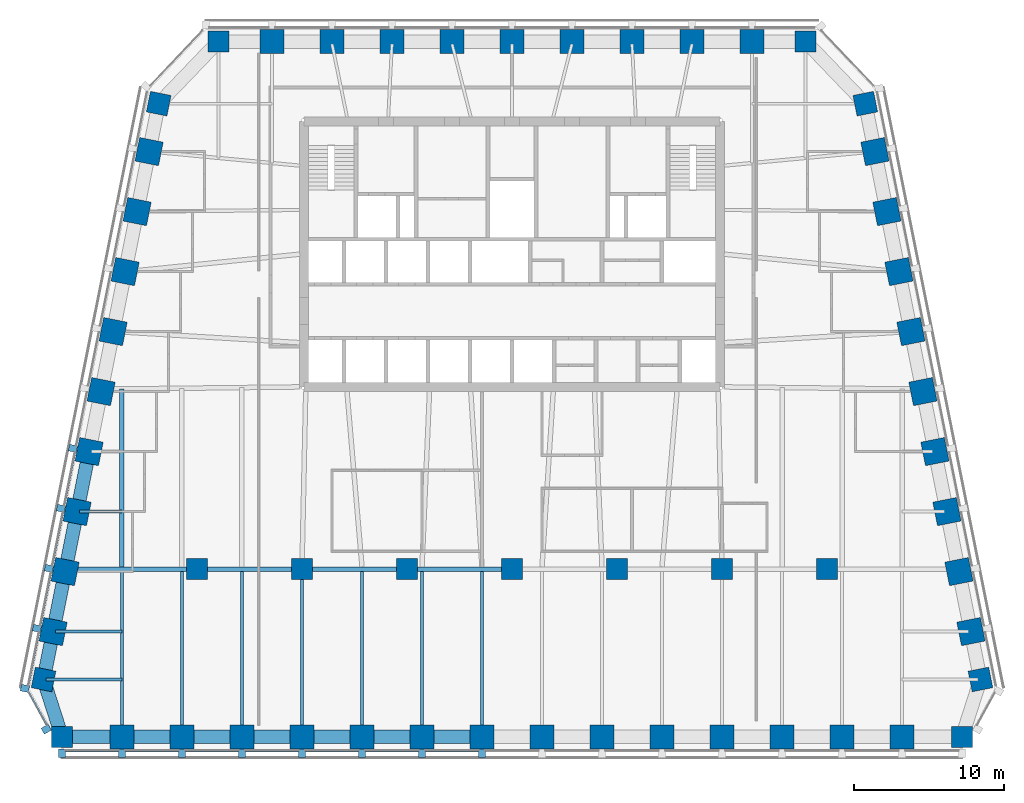
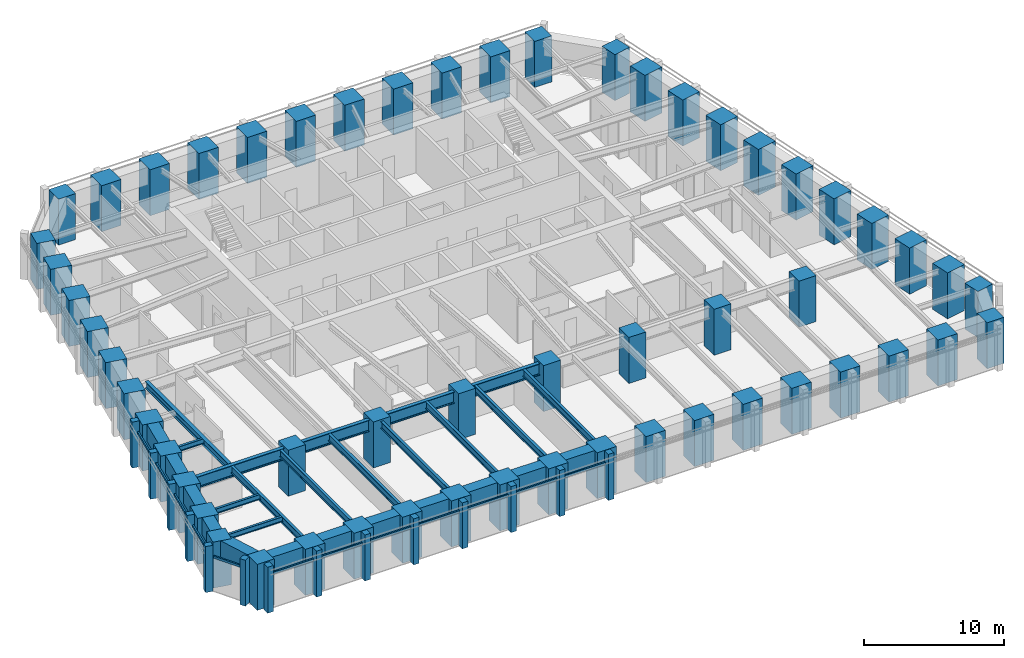
# One storey, part 1 of 10: 56 columns, 27 beams, 26 members, 3 elements without a shape of their own.
"""IFC4 building model written with IfcOpenShell, lengths in metres."""

from ifc_helpers import new_model, si_unit, direction, frame, origin, origin_2d, place, context, subcontext, project, spatial, rectangle, i_section, extrude, material, material_profile, profile_set, type_object, element, aggregate, save


model = new_model("IFC4")

# Units and contexts
model_context = context("Model", 3, precision=1e-05, world=origin(), true_north=direction((0.0, 1.0)))
body_context = subcontext(model_context, "Body", "Model", "MODEL_VIEW")
ifc_project = project(units=[si_unit("LENGTHUNIT", "METRE"), si_unit("AREAUNIT", "SQUARE_METRE"), si_unit("VOLUMEUNIT", "CUBIC_METRE"), si_unit("PLANEANGLEUNIT", "RADIAN"), si_unit("MASSUNIT", "GRAM", prefix="KILO")], contexts=[model_context])

# Site, building, storey
site_placement = place(None, origin())
site = spatial("IfcSite", under=ifc_project, at=site_placement, CompositionType="ELEMENT")
building_placement = place(site_placement, origin())
building = spatial("IfcBuilding", under=site, at=building_placement, Name="Isbrekke Arena Tower", CompositionType="ELEMENT")
storey_placement = place(building_placement, frame((0.0, 0.0, 198.0)))
storey = spatial("IfcBuildingStorey", under=building, at=storey_placement, Name="L45", CompositionType="ELEMENT", Elevation=198.0)

# Columns
ifc_material_1 = material(Name="Concrete B65 (C65/80)", Category="concrete")
ifc_material_profile_1 = material_profile(ifc_material_1, rectangle(XDim=1.39990234375, YDim=1.39990234375, at=origin_2d()), Name="RC 1400x1400")
ifc_profile_set_1 = profile_set([ifc_material_profile_1], Name="Concrete B65 (C65/80)")
column_type_1 = type_object("IfcColumnType", Name="C13 RC 1400 x 1400", PredefinedType="COLUMN", material=ifc_profile_set_1)
for number, where, z_axis, x_axis, name in (
    (1, (-21.0, -6.0, 0.0), (0.0, 0.0, 1.0), (1.0, 0.0, 0.0), "C13 I01"),
    (2, (-14.0, -6.0, 0.0), (0.0, 0.0, 1.0), (1.0, 0.0, 0.0), "C13 I02"),
    (3, (-7.0, -6.0, 0.0), (0.0, 0.0, 1.0), (1.0, 0.0, 0.0), "C13 I03"),
    (4, (0.0, -6.0, 0.0), (0.0, 0.0, 1.0), (1.0, 0.0, 0.0), "C13 I04"),
    (5, (7.0, -6.0, 0.0), (0.0, 0.0, 1.0), (1.0, 0.0, 0.0), "C13 I05"),
    (6, (14.0, -6.0, 0.0), (0.0, 0.0, 1.0), (1.0, 0.0, 0.0), "C13 I06"),
    (7, (21.0, -6.0, 0.0), (0.0, 0.0, 1.0), (1.0, 0.0, 0.0), "C13 I07"),
):
    element("IfcColumn", number, at=place(storey_placement, frame(where, z_axis=z_axis, x_axis=x_axis)), inside=storey, type_object=column_type_1, Name=name, PredefinedType="COLUMN", context=body_context, shape_type="SweptSolid", body=[
        extrude(rectangle(XDim=1.39990234375, YDim=1.39990234375, at=origin_2d()), origin(), (0.0, 0.0, 1.0), 4.0),
    ])
ifc_material_2 = material(Name="Concrete B65 (C65/80)", Category="concrete")
ifc_material_profile_2 = material_profile(ifc_material_2, rectangle(XDim=1.60009765625, YDim=1.60009765625, at=origin_2d()), Name="RC 1600x1600")
ifc_profile_set_2 = profile_set([ifc_material_profile_2], Name="Concrete B65 (C65/80)")
column_type_2 = type_object("IfcColumnType", Name="C4 RC 1600 x 1600", PredefinedType="COLUMN", material=ifc_profile_set_2)
for number, where, z_axis, x_axis, name in (
    (8, (-26.0, -17.175048828125, 0.0), (0.0, 0.0, 1.0), (1.0, 0.0, 0.0), "C4 S02"),
    (9, (-22.0, -17.175048828125, 0.0), (0.0, 0.0, 1.0), (1.0, 0.0, 0.0), "C4 S03"),
    (10, (-18.0, -17.175048828125, 0.0), (0.0, 0.0, 1.0), (1.0, 0.0, 0.0), "C4 S04"),
    (11, (-14.0, -17.175048828125, 0.0), (0.0, 0.0, 1.0), (1.0, 0.0, 0.0), "C4 S05"),
    (12, (-10.0, -17.175048828125, 0.0), (0.0, 0.0, 1.0), (1.0, 0.0, 0.0), "C4 S06"),
    (13, (-6.0, -17.175048828125, 0.0), (0.0, 0.0, 1.0), (1.0, 0.0, 0.0), "C4 S07"),
    (14, (-2.0, -17.175048828125, 0.0), (0.0, 0.0, 1.0), (1.0, 0.0, 0.0), "C4 S08"),
    (15, (2.0, -17.175048828125, 0.0), (0.0, 0.0, 1.0), (1.0, 0.0, 0.0), "C4 S09"),
    (16, (6.0, -17.175048828125, 0.0), (0.0, 0.0, 1.0), (1.0, 0.0, 0.0), "C4 S10"),
    (17, (10.0, -17.175048828125, 0.0), (0.0, 0.0, 1.0), (1.0, 0.0, 0.0), "C4 S11"),
    (18, (14.0, -17.175048828125, 0.0), (0.0, 0.0, 1.0), (1.0, 0.0, 0.0), "C4 S12"),
    (19, (18.0, -17.175048828125, 0.0), (0.0, 0.0, 1.0), (1.0, 0.0, 0.0), "C4 S13"),
    (20, (22.0, -17.175048828125, 0.0), (0.0, 0.0, 1.0), (1.0, 0.0, 0.0), "C4 S14"),
    (21, (26.0, -17.175048828125, 0.0), (0.0, 0.0, 1.0), (1.0, 0.0, 0.0), "C4 S15"),
    (22, (30.591064453125, -10.161865234375, 0.0), (0.0, 0.0, 1.0), (-0.196116135138, 0.980580675691, 0.0), "C4 E02"),
    (23, (29.791015625, -6.161865234375, 0.0), (0.0, 0.0, 1.0), (-0.196116135138, 0.980580675691, 0.0), "C4 E03"),
    (24, (28.990966796875, -2.161865234375, 0.0), (0.0, 0.0, 1.0), (-0.196116135138, 0.980580675691, 0.0), "C4 E04"),
    (25, (28.19091796875, 1.838134765625, 0.0), (0.0, 0.0, 1.0), (-0.196116135138, 0.980580675691, 0.0), "C4 E05"),
    (26, (27.39111328125, 5.838134765625, 0.0), (0.0, 0.0, 1.0), (-0.196116135138, 0.980580675691, 0.0), "C4 E06"),
    (27, (26.591064453125, 9.838134765625, 0.0), (0.0, 0.0, 1.0), (-0.196116135138, 0.980580675691, 0.0), "C4 E07"),
    (28, (25.791015625, 13.838134765625, 0.0), (0.0, 0.0, 1.0), (-0.196116135138, 0.980580675691, 0.0), "C4 E08"),
    (29, (24.990966796875, 17.838134765625, 0.0), (0.0, 0.0, 1.0), (-0.196116135138, 0.980580675691, 0.0), "C4 E09"),
    (30, (24.19091796875, 21.838134765625, 0.0), (0.0, 0.0, 1.0), (-0.196116135138, 0.980580675691, 0.0), "C4 E10"),
    (31, (16.0, 29.175048828125, 0.0), (0.0, 0.0, 1.0), (-1.0, 0.0, 0.0), "C4 N02"),
    (32, (12.0, 29.175048828125, 0.0), (0.0, 0.0, 1.0), (-1.0, 0.0, 0.0), "C4 N03"),
    (33, (8.0, 29.175048828125, 0.0), (0.0, 0.0, 1.0), (-1.0, 0.0, 0.0), "C4 N04"),
    (34, (4.0, 29.175048828125, 0.0), (0.0, 0.0, 1.0), (-1.0, 0.0, 0.0), "C4 N05"),
    (35, (0.0, 29.175048828125, 0.0), (0.0, 0.0, 1.0), (-1.0, 0.0, 0.0), "C4 N06"),
    (36, (-4.0, 29.175048828125, 0.0), (0.0, 0.0, 1.0), (-1.0, 0.0, 0.0), "C4 N07"),
    (37, (-8.0, 29.175048828125, 0.0), (0.0, 0.0, 1.0), (-1.0, 0.0, 0.0), "C4 N08"),
    (38, (-12.0, 29.175048828125, 0.0), (0.0, 0.0, 1.0), (-1.0, 0.0, 0.0), "C4 N09"),
    (39, (-16.0, 29.175048828125, 0.0), (0.0, 0.0, 1.0), (-1.0, 0.0, 0.0), "C4 N10"),
    (40, (-24.19091796875, 21.838134765625, 0.0), (0.0, 0.0, 1.0), (-0.196116135138, -0.980580675691, 0.0), "C4 W02"),
    (41, (-24.990966796875, 17.838134765625, 0.0), (0.0, 0.0, 1.0), (-0.196116135138, -0.980580675691, 0.0), "C4 W03"),
    (42, (-25.791015625, 13.838134765625, 0.0), (0.0, 0.0, 1.0), (-0.196116135138, -0.980580675691, 0.0), "C4 W04"),
    (43, (-26.591064453125, 9.838134765625, 0.0), (0.0, 0.0, 1.0), (-0.196116135138, -0.980580675691, 0.0), "C4 W05"),
    (44, (-27.39111328125, 5.838134765625, 0.0), (0.0, 0.0, 1.0), (-0.196116135138, -0.980580675691, 0.0), "C4 W06"),
    (45, (-28.19091796875, 1.838134765625, 0.0), (0.0, 0.0, 1.0), (-0.196116135138, -0.980580675691, 0.0), "C4 W07"),
    (46, (-28.990966796875, -2.161865234375, 0.0), (0.0, 0.0, 1.0), (-0.196116135138, -0.980580675691, 0.0), "C4 W08"),
    (47, (-29.791015625, -6.161865234375, 0.0), (0.0, 0.0, 1.0), (-0.196116135138, -0.980580675691, 0.0), "C4 W09"),
    (48, (-30.591064453125, -10.161865234375, 0.0), (0.0, 0.0, 1.0), (-0.196116135138, -0.980580675691, 0.0), "C4 W10"),
):
    element("IfcColumn", number, at=place(storey_placement, frame(where, z_axis=z_axis, x_axis=x_axis)), inside=storey, type_object=column_type_2, Name=name, PredefinedType="COLUMN", context=body_context, shape_type="SweptSolid", body=[
        extrude(rectangle(XDim=1.60009765625, YDim=1.60009765625, at=origin_2d()), origin(), (0.0, 0.0, 1.0), 4.0),
    ])
ifc_material_3 = material(Name="Concrete B65 (C65/80)", Category="concrete")
ifc_material_profile_3 = material_profile(ifc_material_3, rectangle(XDim=1.39990234375, YDim=1.39990234375, at=origin_2d()), Name="RC 1400x1400")
ifc_profile_set_3 = profile_set([ifc_material_profile_3], Name="Concrete B65 (C65/80)")
column_type_3 = type_object("IfcColumnType", Name="C8 RC 1400 x 1400", PredefinedType="COLUMN", material=ifc_profile_set_3)
for number, where, z_axis, x_axis, name in (
    (49, (-30.0, -17.175048828125, 0.0), (0.0, 0.0, 1.0), (1.0, 0.0, 0.0), "C8 S01"),
    (50, (30.0, -17.175048828125, 0.0), (0.0, 0.0, 1.0), (1.0, 0.0, 0.0), "C8 S16"),
    (51, (31.229248046875, -13.352783203125, 0.0), (0.0, 0.0, 1.0), (-0.196116135138, 0.980580675691, 0.0), "C8 E01"),
    (52, (23.552734375, 25.029296875, 0.0), (0.0, 0.0, 1.0), (-0.196116135138, 0.980580675691, 0.0), "C8 E11"),
    (53, (19.574951171875, 29.175048828125, 0.0), (0.0, 0.0, 1.0), (-1.0, 0.0, 0.0), "C8 N01"),
    (54, (-19.574951171875, 29.175048828125, 0.0), (0.0, 0.0, 1.0), (-1.0, 0.0, 0.0), "C8 N11"),
    (55, (-23.552734375, 25.029296875, 0.0), (0.0, 0.0, 1.0), (-0.196116135138, -0.980580675691, 0.0), "C8 W01"),
    (56, (-31.229248046875, -13.352783203125, 0.0), (0.0, 0.0, 1.0), (-0.196116135138, -0.980580675691, 0.0), "C8 W11"),
):
    element("IfcColumn", number, at=place(storey_placement, frame(where, z_axis=z_axis, x_axis=x_axis)), inside=storey, type_object=column_type_3, Name=name, PredefinedType="COLUMN", context=body_context, shape_type="SweptSolid", body=[
        extrude(rectangle(XDim=1.39990234375, YDim=1.39990234375, at=origin_2d()), origin(), (0.0, 0.0, 1.0), 4.0),
    ])

# Beams
ifc_material_4 = material(Name="Steel S355", Category="steel")
ifc_material_profile_4 = material_profile(ifc_material_4, i_section(OverallWidth=0.219970703125, OverallDepth=0.60009765625, WebThickness=0.011962890625, FlangeThickness=0.01904296875, FilletRadius=0.02392578125, at=origin_2d()), Name="IPE 600")
ifc_profile_set_4 = profile_set([ifc_material_profile_4], Name="Steel S355")
beam_type_1 = type_object("IfcBeamType", Name="B1 IPE 600", PredefinedType="BEAM", material=ifc_profile_set_4)
for number, where, z_axis, x_axis, name in (
    (57, (-26.0, -17.02490234375, 3.550048828125), (0.0, 1.0, 0.0), (-1.0, 0.0, 0.0), "B1 beam S-S02 L45"),
    (58, (-22.0, -17.02490234375, 3.550048828125), (0.0, 1.0, 0.0), (-1.0, 0.0, 0.0), "B1 beam S-S03 L45"),
    (59, (-18.0, -17.02490234375, 3.550048828125), (0.0, 1.0, 0.0), (-1.0, 0.0, 0.0), "B1 beam S-S04 L45"),
):
    element("IfcBeam", number, at=place(storey_placement, frame(where, z_axis=z_axis, x_axis=x_axis)), inside=storey, type_object=beam_type_1, Name=name, PredefinedType="BEAM", context=body_context, shape_type="SweptSolid", body=[
        extrude(i_section(OverallWidth=0.219970703125, OverallDepth=0.60009765625, WebThickness=0.011962890625, FlangeThickness=0.01904296875, FilletRadius=0.02392578125, at=origin_2d()), origin(), (0.0, 0.0, 1.0), 10.8740234375),
    ])
beam_1_placement = place(storey_placement, frame((-14.0, -17.02490234375, 3.550048828125), z_axis=(0.0, 1.0, 0.0), x_axis=(-1.0, 0.0, 0.0)))
element("IfcBeam", 60, at=beam_1_placement, inside=storey, type_object=beam_type_1, Name="B1 beam S-S05 L45", PredefinedType="BEAM", context=body_context, shape_type="SweptSolid", body=[
    extrude(i_section(OverallWidth=0.219970703125, OverallDepth=0.60009765625, WebThickness=0.011962890625, FlangeThickness=0.01904296875, FilletRadius=0.02392578125, at=origin_2d()), origin(), (0.0, 0.0, 1.0), 10.875),
])
for number, where, z_axis, x_axis, name in (
    (61, (-10.0, -17.02490234375, 3.550048828125), (0.0, 1.0, 0.0), (-1.0, 0.0, 0.0), "B1 beam S-S06 L45"),
    (62, (-6.0, -17.02490234375, 3.550048828125), (0.0, 1.0, 0.0), (-1.0, 0.0, 0.0), "B1 beam S-S07 L45"),
    (63, (-2.0, -17.02490234375, 3.550048828125), (0.0, 1.0, 0.0), (-1.0, 0.0, 0.0), "B1 beam S-S08 L45"),
):
    element("IfcBeam", number, at=place(storey_placement, frame(where, z_axis=z_axis, x_axis=x_axis)), inside=storey, type_object=beam_type_1, Name=name, PredefinedType="BEAM", context=body_context, shape_type="SweptSolid", body=[
        extrude(i_section(OverallWidth=0.219970703125, OverallDepth=0.60009765625, WebThickness=0.011962890625, FlangeThickness=0.01904296875, FilletRadius=0.02392578125, at=origin_2d()), origin(), (0.0, 0.0, 1.0), 10.8740234375),
    ])
ifc_material_5 = material(Name="Steel S355", Category="steel")
ifc_material_profile_5 = material_profile(ifc_material_5, i_section(OverallWidth=0.18994140625, OverallDepth=0.449951171875, WebThickness=0.009521484375, FlangeThickness=0.0146484375, FilletRadius=0.02099609375, at=origin_2d()), Name="IPE 450")
ifc_profile_set_5 = profile_set([ifc_material_profile_5], Name="Steel S355")
beam_type_2 = type_object("IfcBeamType", Name="B2 IPE 450", PredefinedType="BEAM", material=ifc_profile_set_5)
beam_2_placement = place(storey_placement, frame((-28.841064453125, -2.161865234375, 3.625), z_axis=(1.0, 0.0, 0.0), x_axis=(0.0, 1.0, 0.0)))
element("IfcBeam", 64, at=beam_2_placement, inside=storey, type_object=beam_type_2, Name="B2 beam E-W08 L45", PredefinedType="BEAM", context=body_context, shape_type="SweptSolid", body=[
    extrude(i_section(OverallWidth=0.18994140625, OverallDepth=0.449951171875, WebThickness=0.009521484375, FlangeThickness=0.0146484375, FilletRadius=0.02099609375, at=origin_2d()), origin(), (0.0, 0.0, 1.0), 2.841064453125),
])
beam_3_placement = place(storey_placement, frame((-30.44091796875, -10.161865234375, 3.625), z_axis=(1.0, 0.0, 0.0), x_axis=(0.0, 1.0, 0.0)))
element("IfcBeam", 65, at=beam_3_placement, inside=storey, type_object=beam_type_2, Name="B2 beam E-W10 L45", PredefinedType="BEAM", context=body_context, shape_type="SweptSolid", body=[
    extrude(i_section(OverallWidth=0.18994140625, OverallDepth=0.449951171875, WebThickness=0.009521484375, FlangeThickness=0.0146484375, FilletRadius=0.02099609375, at=origin_2d()), origin(), (0.0, 0.0, 1.0), 4.44091796875),
])
beam_4_placement = place(storey_placement, frame((-31.079345703125, -13.352783203125, 3.625), z_axis=(1.0, 0.0, 0.0), x_axis=(0.0, 1.0, 0.0)))
element("IfcBeam", 66, at=beam_4_placement, inside=storey, type_object=beam_type_2, Name="B2 beam E-W11 L45", PredefinedType="BEAM", context=body_context, shape_type="SweptSolid", body=[
    extrude(i_section(OverallWidth=0.18994140625, OverallDepth=0.449951171875, WebThickness=0.009521484375, FlangeThickness=0.0146484375, FilletRadius=0.02099609375, at=origin_2d()), origin(), (0.0, 0.0, 1.0), 5.079345703125),
])
ifc_material_6 = material(Name="Steel S355", Category="steel")
ifc_material_profile_6 = material_profile(ifc_material_6, i_section(OverallWidth=0.300048828125, OverallDepth=0.60009765625, WebThickness=0.015380859375, FlangeThickness=0.030029296875, FilletRadius=0.027099609375, at=origin_2d()), Name="HEB 600")
ifc_profile_set_6 = profile_set([ifc_material_profile_6], Name="Steel S355")
beam_type_3 = type_object("IfcBeamType", Name="B7 HEB 600", PredefinedType="BEAM", material=ifc_profile_set_6)
beam_5_placement = place(storey_placement, frame((-26.0, -5.84912109375, 3.550048828125), z_axis=(0.0, 1.0, 0.0), x_axis=(-1.0, 0.0, 0.0)))
element("IfcBeam", 67, at=beam_5_placement, inside=storey, type_object=beam_type_3, Name="B7 beam C-M01 L45", PredefinedType="BEAM", context=body_context, shape_type="SweptSolid", body=[
    extrude(i_section(OverallWidth=0.300048828125, OverallDepth=0.60009765625, WebThickness=0.015380859375, FlangeThickness=0.030029296875, FilletRadius=0.027099609375, at=origin_2d()), origin(), (0.0, 0.0, 1.0), 11.864990234375),
])

# Curtain wall, members
ifc_material_7 = material(Name="Glazed aluminium curtain wall", Category="aluminium")
curtain_wall_type = type_object("IfcCurtainWallType", Name="CWH TOWER CURTAIN WALL HIGH ZONE", PredefinedType="USERDEFINED", material=ifc_material_7)
curtain_wall_1_placement = place(storey_placement, origin())
curtain_wall_1 = element("IfcCurtainWall", 68, at=curtain_wall_1_placement, inside=storey, type_object=curtain_wall_type, Name="CWH curtain wall L45-S", ObjectType="TOWER CURTAIN WALL HIGH ZONE", PredefinedType="USERDEFINED")
ifc_material_8 = material(Name="Aluminium mullion, pale brick slip cladding", Category="masonry")
ifc_material_profile_7 = material_profile(ifc_material_8, rectangle(XDim=0.449951171875, YDim=0.550048828125, at=origin_2d()), Name="PIER 450X550")
ifc_profile_set_7 = profile_set([ifc_material_profile_7], Name="Aluminium mullion, pale brick slip cladding")
member_type_1 = type_object("IfcMemberType", Name="CWH-M PIER MULLION 450 x 550", PredefinedType="MULLION", material=ifc_profile_set_7)
member_1_placement = place(storey_placement, frame((-30.0, -18.27490234375, 0.0), z_axis=(0.0, 0.0, 1.0), x_axis=(1.0, 0.0, 0.0)))
member_1 = element("IfcMember", 69, at=member_1_placement, type_object=member_type_1, Name="CWH-M mullion 1", PredefinedType="MULLION", context=body_context, shape_type="SweptSolid", body=[
    extrude(rectangle(XDim=0.449951171875, YDim=0.550048828125, at=origin_2d()), origin(), (0.0, 0.0, 1.0), 4.0),
])
member_2_placement = place(storey_placement, frame((-26.0, -18.27490234375, 0.0), z_axis=(0.0, 0.0, 1.0), x_axis=(1.0, 0.0, 0.0)))
member_2 = element("IfcMember", 70, at=member_2_placement, type_object=member_type_1, Name="CWH-M mullion 2", PredefinedType="MULLION", context=body_context, shape_type="SweptSolid", body=[
    extrude(rectangle(XDim=0.449951171875, YDim=0.550048828125, at=origin_2d()), origin(), (0.0, 0.0, 1.0), 4.0),
])
member_3_placement = place(storey_placement, frame((-22.0, -18.27490234375, 0.0), z_axis=(0.0, 0.0, 1.0), x_axis=(1.0, 0.0, 0.0)))
member_3 = element("IfcMember", 71, at=member_3_placement, type_object=member_type_1, Name="CWH-M mullion 3", PredefinedType="MULLION", context=body_context, shape_type="SweptSolid", body=[
    extrude(rectangle(XDim=0.449951171875, YDim=0.550048828125, at=origin_2d()), origin(), (0.0, 0.0, 1.0), 4.0),
])
member_4_placement = place(storey_placement, frame((-18.0, -18.27490234375, 0.0), z_axis=(0.0, 0.0, 1.0), x_axis=(1.0, 0.0, 0.0)))
member_4 = element("IfcMember", 72, at=member_4_placement, type_object=member_type_1, Name="CWH-M mullion 4", PredefinedType="MULLION", context=body_context, shape_type="SweptSolid", body=[
    extrude(rectangle(XDim=0.449951171875, YDim=0.550048828125, at=origin_2d()), origin(), (0.0, 0.0, 1.0), 4.0),
])
member_5_placement = place(storey_placement, frame((-14.0, -18.27490234375, 0.0), z_axis=(0.0, 0.0, 1.0), x_axis=(1.0, 0.0, 0.0)))
member_5 = element("IfcMember", 73, at=member_5_placement, type_object=member_type_1, Name="CWH-M mullion 5", PredefinedType="MULLION", context=body_context, shape_type="SweptSolid", body=[
    extrude(rectangle(XDim=0.449951171875, YDim=0.550048828125, at=origin_2d()), origin(), (0.0, 0.0, 1.0), 4.0),
])
member_6_placement = place(storey_placement, frame((-10.0, -18.27490234375, 0.0), z_axis=(0.0, 0.0, 1.0), x_axis=(1.0, 0.0, 0.0)))
member_6 = element("IfcMember", 74, at=member_6_placement, type_object=member_type_1, Name="CWH-M mullion 6", PredefinedType="MULLION", context=body_context, shape_type="SweptSolid", body=[
    extrude(rectangle(XDim=0.449951171875, YDim=0.550048828125, at=origin_2d()), origin(), (0.0, 0.0, 1.0), 4.0),
])
member_7_placement = place(storey_placement, frame((-6.0, -18.27490234375, 0.0), z_axis=(0.0, 0.0, 1.0), x_axis=(1.0, 0.0, 0.0)))
member_7 = element("IfcMember", 75, at=member_7_placement, type_object=member_type_1, Name="CWH-M mullion 7", PredefinedType="MULLION", context=body_context, shape_type="SweptSolid", body=[
    extrude(rectangle(XDim=0.449951171875, YDim=0.550048828125, at=origin_2d()), origin(), (0.0, 0.0, 1.0), 4.0),
])
member_8_placement = place(storey_placement, frame((-2.0, -18.27490234375, 0.0), z_axis=(0.0, 0.0, 1.0), x_axis=(1.0, 0.0, 0.0)))
member_8 = element("IfcMember", 76, at=member_8_placement, type_object=member_type_1, Name="CWH-M mullion 8", PredefinedType="MULLION", context=body_context, shape_type="SweptSolid", body=[
    extrude(rectangle(XDim=0.449951171875, YDim=0.550048828125, at=origin_2d()), origin(), (0.0, 0.0, 1.0), 4.0),
])

curtain_wall_2_placement = place(storey_placement, origin())
curtain_wall_2 = element("IfcCurtainWall", 77, at=curtain_wall_2_placement, inside=storey, type_object=curtain_wall_type, Name="CWH curtain wall L45-W", ObjectType="TOWER CURTAIN WALL HIGH ZONE", PredefinedType="USERDEFINED")
member_9_placement = place(storey_placement, frame((-29.269775390625, 2.053955078125, 0.0), z_axis=(0.0, 0.0, 1.0), x_axis=(-0.196116135138, -0.980580675691, 0.0)))
member_9 = element("IfcMember", 78, at=member_9_placement, type_object=member_type_1, Name="CWH-M mullion 6", PredefinedType="MULLION", context=body_context, shape_type="SweptSolid", body=[
    extrude(rectangle(XDim=0.449951171875, YDim=0.550048828125, at=origin_2d()), origin(), (0.0, 0.0, 1.0), 4.0),
])
member_10_placement = place(storey_placement, frame((-30.069580078125, -1.946044921875, 0.0), z_axis=(0.0, 0.0, 1.0), x_axis=(-0.196116135138, -0.980580675691, 0.0)))
member_10 = element("IfcMember", 79, at=member_10_placement, type_object=member_type_1, Name="CWH-M mullion 7", PredefinedType="MULLION", context=body_context, shape_type="SweptSolid", body=[
    extrude(rectangle(XDim=0.449951171875, YDim=0.550048828125, at=origin_2d()), origin(), (0.0, 0.0, 1.0), 4.0),
])
member_11_placement = place(storey_placement, frame((-30.86962890625, -5.946044921875, 0.0), z_axis=(0.0, 0.0, 1.0), x_axis=(-0.196116135138, -0.980580675691, 0.0)))
member_11 = element("IfcMember", 80, at=member_11_placement, type_object=member_type_1, Name="CWH-M mullion 8", PredefinedType="MULLION", context=body_context, shape_type="SweptSolid", body=[
    extrude(rectangle(XDim=0.449951171875, YDim=0.550048828125, at=origin_2d()), origin(), (0.0, 0.0, 1.0), 4.0),
])
member_12_placement = place(storey_placement, frame((-31.669677734375, -9.946044921875, 0.0), z_axis=(0.0, 0.0, 1.0), x_axis=(-0.196116135138, -0.980580675691, 0.0)))
member_12 = element("IfcMember", 81, at=member_12_placement, type_object=member_type_1, Name="CWH-M mullion 9", PredefinedType="MULLION", context=body_context, shape_type="SweptSolid", body=[
    extrude(rectangle(XDim=0.449951171875, YDim=0.550048828125, at=origin_2d()), origin(), (0.0, 0.0, 1.0), 4.0),
])
member_13_placement = place(storey_placement, frame((-32.4697265625, -13.946044921875, 0.0), z_axis=(0.0, 0.0, 1.0), x_axis=(-0.196116135138, -0.980580675691, 0.0)))
member_13 = element("IfcMember", 82, at=member_13_placement, type_object=member_type_1, Name="CWH-M mullion 10", PredefinedType="MULLION", context=body_context, shape_type="SweptSolid", body=[
    extrude(rectangle(XDim=0.449951171875, YDim=0.550048828125, at=origin_2d()), origin(), (0.0, 0.0, 1.0), 4.0),
])

# Curtain wall, member
curtain_wall_3_placement = place(storey_placement, origin())
curtain_wall_3 = element("IfcCurtainWall", 83, at=curtain_wall_3_placement, inside=storey, type_object=curtain_wall_type, Name="CWH curtain wall L45-WS", ObjectType="TOWER CURTAIN WALL HIGH ZONE", PredefinedType="USERDEFINED")
member_14_placement = place(storey_placement, frame((-31.04638671875, -16.66796875, 0.0), z_axis=(0.0, 0.0, 1.0), x_axis=(0.481918749773, -0.876215908676, 0.0)))
member_14 = element("IfcMember", 84, at=member_14_placement, type_object=member_type_1, Name="CWH-M mullion 1", PredefinedType="MULLION", context=body_context, shape_type="SweptSolid", body=[
    extrude(rectangle(XDim=0.449951171875, YDim=0.550048828125, at=origin_2d()), origin(), (0.0, 0.0, 1.0), 4.0),
])

# Member
ifc_material_9 = material(Name="Aluminium transom", Category="aluminium")
ifc_material_profile_8 = material_profile(ifc_material_9, rectangle(XDim=0.1201171875, YDim=0.199951171875, at=origin_2d()), Name="TRANSOM 120X200")
ifc_profile_set_8 = profile_set([ifc_material_profile_8], Name="Aluminium transom")
member_type_2 = type_object("IfcMemberType", Name="CWH-T TRANSOM 120 x 200", PredefinedType="USERDEFINED", material=ifc_profile_set_8)
member_15_placement = place(storey_placement, frame((-29.77490234375, -18.10009765625, 3.0), z_axis=(1.0, 0.0, 0.0), x_axis=(0.0, 1.0, 0.0)))
member_15 = element("IfcMember", 85, at=member_15_placement, type_object=member_type_2, Name="CWH-T transom 1", ObjectType="TRANSOM", PredefinedType="USERDEFINED", context=body_context, shape_type="SweptSolid", body=[
    extrude(rectangle(XDim=0.1201171875, YDim=0.199951171875, at=origin_2d()), origin(), (0.0, 0.0, 1.0), 3.5498046875),
])

member_16_placement = place(storey_placement, frame((-25.77490234375, -18.10009765625, 3.0), z_axis=(1.0, 0.0, 0.0), x_axis=(0.0, 1.0, 0.0)))
member_16 = element("IfcMember", 86, at=member_16_placement, type_object=member_type_2, Name="CWH-T transom 2", ObjectType="TRANSOM", PredefinedType="USERDEFINED", context=body_context, shape_type="SweptSolid", body=[
    extrude(rectangle(XDim=0.1201171875, YDim=0.199951171875, at=origin_2d()), origin(), (0.0, 0.0, 1.0), 3.5498046875),
])

member_17_placement = place(storey_placement, frame((-21.77490234375, -18.10009765625, 3.0), z_axis=(1.0, 0.0, 0.0), x_axis=(0.0, 1.0, 0.0)))
member_17 = element("IfcMember", 87, at=member_17_placement, type_object=member_type_2, Name="CWH-T transom 3", ObjectType="TRANSOM", PredefinedType="USERDEFINED", context=body_context, shape_type="SweptSolid", body=[
    extrude(rectangle(XDim=0.1201171875, YDim=0.199951171875, at=origin_2d()), origin(), (0.0, 0.0, 1.0), 3.5498046875),
])

member_18_placement = place(storey_placement, frame((-17.77490234375, -18.10009765625, 3.0), z_axis=(1.0, 0.0, 0.0), x_axis=(0.0, 1.0, 0.0)))
member_18 = element("IfcMember", 88, at=member_18_placement, type_object=member_type_2, Name="CWH-T transom 4", ObjectType="TRANSOM", PredefinedType="USERDEFINED", context=body_context, shape_type="SweptSolid", body=[
    extrude(rectangle(XDim=0.1201171875, YDim=0.199951171875, at=origin_2d()), origin(), (0.0, 0.0, 1.0), 3.5498046875),
])

member_19_placement = place(storey_placement, frame((-13.77490234375, -18.10009765625, 3.0), z_axis=(1.0, 0.0, 0.0), x_axis=(0.0, 1.0, 0.0)))
member_19 = element("IfcMember", 89, at=member_19_placement, type_object=member_type_2, Name="CWH-T transom 5", ObjectType="TRANSOM", PredefinedType="USERDEFINED", context=body_context, shape_type="SweptSolid", body=[
    extrude(rectangle(XDim=0.1201171875, YDim=0.199951171875, at=origin_2d()), origin(), (0.0, 0.0, 1.0), 3.5498046875),
])

member_20_placement = place(storey_placement, frame((-9.77490234375, -18.10009765625, 3.0), z_axis=(1.0, 0.0, 0.0), x_axis=(0.0, 1.0, 0.0)))
member_20 = element("IfcMember", 90, at=member_20_placement, type_object=member_type_2, Name="CWH-T transom 6", ObjectType="TRANSOM", PredefinedType="USERDEFINED", context=body_context, shape_type="SweptSolid", body=[
    extrude(rectangle(XDim=0.1201171875, YDim=0.199951171875, at=origin_2d()), origin(), (0.0, 0.0, 1.0), 3.5498046875),
])

member_21_placement = place(storey_placement, frame((-5.77490234375, -18.10009765625, 3.0), z_axis=(1.0, 0.0, 0.0), x_axis=(0.0, 1.0, 0.0)))
member_21 = element("IfcMember", 91, at=member_21_placement, type_object=member_type_2, Name="CWH-T transom 7", ObjectType="TRANSOM", PredefinedType="USERDEFINED", context=body_context, shape_type="SweptSolid", body=[
    extrude(rectangle(XDim=0.1201171875, YDim=0.199951171875, at=origin_2d()), origin(), (0.0, 0.0, 1.0), 3.5498046875),
])

aggregate(curtain_wall_1, [member_1, member_2, member_3, member_4, member_5, member_6, member_7, member_8, member_15, member_16, member_17, member_18, member_19, member_20, member_21])

member_22_placement = place(storey_placement, frame((-29.14208984375, 1.799072265625, 3.0), z_axis=(-0.196154943734, -0.980572913173, 0.0), x_axis=(0.980572913173, -0.196154943734, 0.0)))
member_22 = element("IfcMember", 92, at=member_22_placement, type_object=member_type_2, Name="CWH-T transom 7", ObjectType="TRANSOM", PredefinedType="USERDEFINED", context=body_context, shape_type="SweptSolid", body=[
    extrude(rectangle(XDim=0.1201171875, YDim=0.199951171875, at=origin_2d()), origin(), (0.0, 0.0, 1.0), 3.62939453125),
])

member_23_placement = place(storey_placement, frame((-29.942138671875, -2.200927734375, 3.0), z_axis=(-0.196154943734, -0.980572913173, 0.0), x_axis=(0.980572913173, -0.196154943734, 0.0)))
member_23 = element("IfcMember", 93, at=member_23_placement, type_object=member_type_2, Name="CWH-T transom 8", ObjectType="TRANSOM", PredefinedType="USERDEFINED", context=body_context, shape_type="SweptSolid", body=[
    extrude(rectangle(XDim=0.1201171875, YDim=0.199951171875, at=origin_2d()), origin(), (0.0, 0.0, 1.0), 3.62939453125),
])

member_24_placement = place(storey_placement, frame((-30.7421875, -6.200927734375, 3.0), z_axis=(-0.196090262229, -0.980585849918, 0.0), x_axis=(0.980585849918, -0.196090262229, 0.0)))
member_24 = element("IfcMember", 94, at=member_24_placement, type_object=member_type_2, Name="CWH-T transom 9", ObjectType="TRANSOM", PredefinedType="USERDEFINED", context=body_context, shape_type="SweptSolid", body=[
    extrude(rectangle(XDim=0.1201171875, YDim=0.199951171875, at=origin_2d()), origin(), (0.0, 0.0, 1.0), 3.62939453125),
])

member_25_placement = place(storey_placement, frame((-31.542236328125, -10.200927734375, 3.0), z_axis=(-0.196090262229, -0.980585849918, 0.0), x_axis=(0.980585849918, -0.196090262229, 0.0)))
member_25 = element("IfcMember", 95, at=member_25_placement, type_object=member_type_2, Name="CWH-T transom 10", ObjectType="TRANSOM", PredefinedType="USERDEFINED", context=body_context, shape_type="SweptSolid", body=[
    extrude(rectangle(XDim=0.1201171875, YDim=0.199951171875, at=origin_2d()), origin(), (0.0, 0.0, 1.0), 3.62939453125),
])

aggregate(curtain_wall_2, [member_9, member_10, member_11, member_12, member_13, member_22, member_23, member_24, member_25])

member_26_placement = place(storey_placement, frame((-32.17919921875, -14.245361328125, 3.0), z_axis=(0.481957101782, -0.876194813978, 0.0), x_axis=(0.876194813978, 0.481957101782, 0.0)))
member_26 = element("IfcMember", 96, at=member_26_placement, type_object=member_type_2, Name="CWH-T transom 1", ObjectType="TRANSOM", PredefinedType="USERDEFINED", context=body_context, shape_type="SweptSolid", body=[
    extrude(rectangle(XDim=0.1201171875, YDim=0.199951171875, at=origin_2d()), origin(), (0.0, 0.0, 1.0), 2.443603515625),
])

aggregate(curtain_wall_3, [member_14, member_26])

# Beams
ifc_material_10 = material(Name="Steel S355", Category="steel")
ifc_material_profile_9 = material_profile(ifc_material_10, i_section(OverallWidth=0.302001953125, OverallDepth=1.008056640625, WebThickness=0.02099609375, FlangeThickness=0.0400390625, FilletRadius=0.030029296875, at=origin_2d()), Name="HEM 1000")
ifc_profile_set_9 = profile_set([ifc_material_profile_9], Name="Steel S355")
beam_type_4 = type_object("IfcBeamType", Name="G1 HEM 1000", PredefinedType="BEAM", material=ifc_profile_set_9)
beam_6_placement = place(storey_placement, frame((-29.791015625, -6.0, 3.345947265625), z_axis=(1.0, 0.0, 0.0), x_axis=(0.0, 1.0, 0.0)))
element("IfcBeam", 97, at=beam_6_placement, inside=storey, type_object=beam_type_4, Name="G1 beam G1-01 L45", PredefinedType="BEAM", context=body_context, shape_type="SweptSolid", body=[
    extrude(i_section(OverallWidth=0.302001953125, OverallDepth=1.008056640625, WebThickness=0.02099609375, FlangeThickness=0.0400390625, FilletRadius=0.030029296875, at=origin_2d()), origin(), (0.0, 0.0, 1.0), 8.64111328125),
])
for number, where, z_axis, x_axis, name in (
    (98, (-20.85009765625, -6.0, 3.345947265625), (1.0, 0.0, 0.0), (0.0, 1.0, 0.0), "G1 beam G1-02 L45"),
    (99, (-13.85009765625, -6.0, 3.345947265625), (1.0, 0.0, 0.0), (0.0, 1.0, 0.0), "G1 beam G1-03 L45"),
    (100, (-6.85009765625, -6.0, 3.345947265625), (1.0, 0.0, 0.0), (0.0, 1.0, 0.0), "G1 beam G1-04 L45"),
):
    element("IfcBeam", number, at=place(storey_placement, frame(where, z_axis=z_axis, x_axis=x_axis)), inside=storey, type_object=beam_type_4, Name=name, PredefinedType="BEAM", context=body_context, shape_type="SweptSolid", body=[
        extrude(i_section(OverallWidth=0.302001953125, OverallDepth=1.008056640625, WebThickness=0.02099609375, FlangeThickness=0.0400390625, FilletRadius=0.030029296875, at=origin_2d()), origin(), (0.0, 0.0, 1.0), 6.7001953125),
    ])
ifc_material_11 = material(Name="Concrete B65 (C65/80)", Category="concrete")
ifc_material_profile_10 = material_profile(ifc_material_11, rectangle(XDim=0.89990234375, YDim=1.5, at=origin_2d()), Name="RC 900x1500")
ifc_profile_set_10 = profile_set([ifc_material_profile_10], Name="Concrete B65 (C65/80)")
beam_type_5 = type_object("IfcBeamType", Name="SB3 RC 900 x 1500", PredefinedType="SPANDREL", material=ifc_profile_set_10)
for number, where, z_axis, x_axis, name in (
    (101, (-29.85009765625, -17.175048828125, 3.25), (1.0, 0.0, 0.0), (0.0, 1.0, 0.0), "SB3 spandrel S01-S02 L45"),
    (102, (-25.85009765625, -17.175048828125, 3.25), (1.0, 0.0, 0.0), (0.0, 1.0, 0.0), "SB3 spandrel S02-S03 L45"),
    (103, (-21.85009765625, -17.175048828125, 3.25), (1.0, 0.0, 0.0), (0.0, 1.0, 0.0), "SB3 spandrel S03-S04 L45"),
    (104, (-17.85009765625, -17.175048828125, 3.25), (1.0, 0.0, 0.0), (0.0, 1.0, 0.0), "SB3 spandrel S04-S05 L45"),
    (105, (-13.85009765625, -17.175048828125, 3.25), (1.0, 0.0, 0.0), (0.0, 1.0, 0.0), "SB3 spandrel S05-S06 L45"),
    (106, (-9.85009765625, -17.175048828125, 3.25), (1.0, 0.0, 0.0), (0.0, 1.0, 0.0), "SB3 spandrel S06-S07 L45"),
    (107, (-5.85009765625, -17.175048828125, 3.25), (1.0, 0.0, 0.0), (0.0, 1.0, 0.0), "SB3 spandrel S07-S08 L45"),
):
    element("IfcBeam", number, at=place(storey_placement, frame(where, z_axis=z_axis, x_axis=x_axis)), inside=storey, type_object=beam_type_5, Name=name, PredefinedType="SPANDREL", context=body_context, shape_type="SweptSolid", body=[
        extrude(rectangle(XDim=0.89990234375, YDim=1.5, at=origin_2d()), origin(), (0.0, 0.0, 1.0), 3.7001953125),
    ])
for number, where, z_axis, x_axis, name in (
    (108, (-28.220458984375, 1.691162109375, 3.25), (-0.196128558387, -0.980578190959, 0.0), (0.980578190959, -0.196128558387, 0.0), "SB3 spandrel W07-W08 L45"),
    (109, (-29.0205078125, -2.308837890625, 3.25), (-0.196128558387, -0.980578190959, 0.0), (0.980578190959, -0.196128558387, 0.0), "SB3 spandrel W08-W09 L45"),
):
    element("IfcBeam", number, at=place(storey_placement, frame(where, z_axis=z_axis, x_axis=x_axis)), inside=storey, type_object=beam_type_5, Name=name, PredefinedType="SPANDREL", context=body_context, shape_type="SweptSolid", body=[
        extrude(rectangle(XDim=0.89990234375, YDim=1.5, at=origin_2d()), origin(), (0.0, 0.0, 1.0), 3.779296875),
    ])
beam_7_placement = place(storey_placement, frame((-29.820556640625, -6.308837890625, 3.25), z_axis=(-0.1960664412, -0.980590613169, 0.0), x_axis=(0.980590613169, -0.1960664412, 0.0)))
element("IfcBeam", 110, at=beam_7_placement, inside=storey, type_object=beam_type_5, Name="SB3 spandrel W09-W10 L45", PredefinedType="SPANDREL", context=body_context, shape_type="SweptSolid", body=[
    extrude(rectangle(XDim=0.89990234375, YDim=1.5, at=origin_2d()), origin(), (0.0, 0.0, 1.0), 3.779052734375),
])
beam_8_placement = place(storey_placement, frame((-30.620361328125, -10.308837890625, 3.25), z_axis=(-0.196100243168, -0.980583853951, 0.0), x_axis=(0.980583853951, -0.196100243168, 0.0)))
element("IfcBeam", 111, at=beam_8_placement, inside=storey, type_object=beam_type_5, Name="SB3 spandrel W10-W11 L45", PredefinedType="SPANDREL", context=body_context, shape_type="SweptSolid", body=[
    extrude(rectangle(XDim=0.89990234375, YDim=1.5, at=origin_2d()), origin(), (0.0, 0.0, 1.0), 2.954345703125),
])
beam_9_placement = place(storey_placement, frame((-31.183349609375, -13.49560546875, 3.25), z_axis=(0.306175101476, -0.951975213562, 0.0), x_axis=(0.951975213562, 0.306175101476, 0.0)))
element("IfcBeam", 112, at=beam_9_placement, inside=storey, type_object=beam_type_5, Name="SB3 spandrel W11-S01 L45", PredefinedType="SPANDREL", context=body_context, shape_type="SweptSolid", body=[
    extrude(rectangle(XDim=0.89990234375, YDim=1.5, at=origin_2d()), origin(), (0.0, 0.0, 1.0), 3.715087890625),
])

save(model, "model.ifc")
